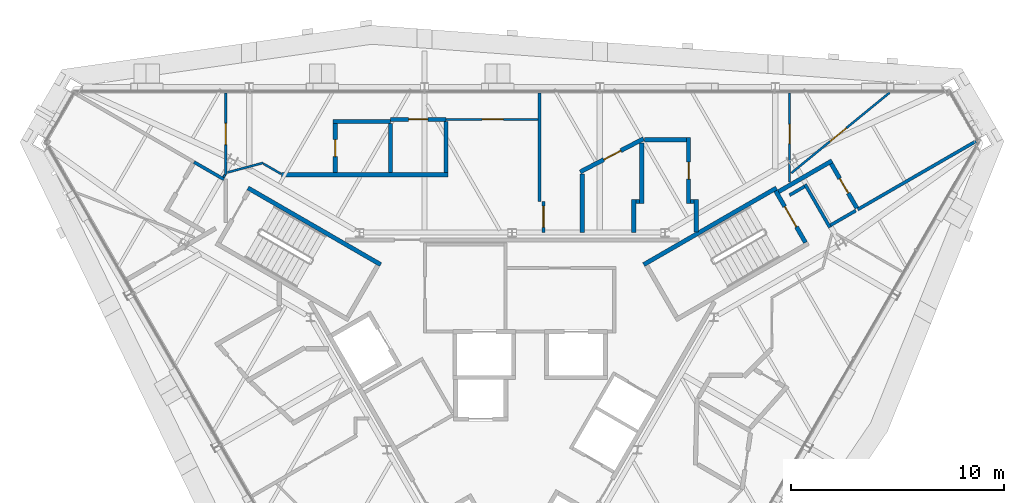
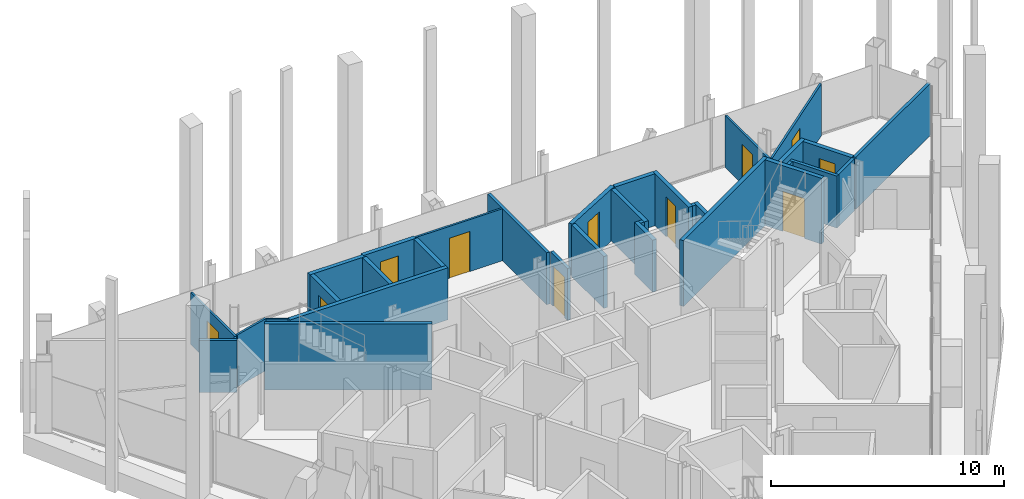
# One storey, part 12 of 15: 34 walls, 11 doors, 11 openings.
"""IFC4 building model written with IfcOpenShell, lengths in metres."""

from ifc_helpers import new_model, si_unit, direction, frame, frame_2d, origin, place, context, subcontext, project, spatial, rectangle, extrude, material, layer, layer_set, type_object, element, fill, save


model = new_model("IFC4")

# Units and contexts
model_context = context("Model", 3, precision=1e-05, world=origin(), true_north=direction((0.0, 1.0)))
body_context = subcontext(model_context, "Body", "Model", "MODEL_VIEW")
ifc_project = project(units=[si_unit("LENGTHUNIT", "METRE"), si_unit("AREAUNIT", "SQUARE_METRE"), si_unit("VOLUMEUNIT", "CUBIC_METRE"), si_unit("PLANEANGLEUNIT", "RADIAN"), si_unit("MASSUNIT", "GRAM", prefix="KILO")], contexts=[model_context])

# Site, building, storey
site_placement = place(None, origin())
site = spatial("IfcSite", under=ifc_project, at=site_placement, CompositionType="ELEMENT")
building_placement = place(site_placement, origin())
building = spatial("IfcBuilding", under=site, at=building_placement, Name="Verrane Prism Tower", CompositionType="ELEMENT")
storey_placement = place(building_placement, frame((0.0, 0.0, 297.300048828125)))
storey = spatial("IfcBuildingStorey", under=building, at=storey_placement, Name="L75", CompositionType="ELEMENT", Elevation=297.300048828125)

# Wall, opening, door
ifc_material_1 = material(Name="Concrete C40/50", Category="concrete")
ifc_layer_1 = layer(ifc_material_1, 0.199951171875)
ifc_layer_set_1 = layer_set([ifc_layer_1], Name="CW-200 stair core wall concrete C40/50 3 h")
wall_type_1 = type_object("IfcWallType", Name="CW-200 stair core wall concrete C40/50 3 h", PredefinedType="PARTITIONING", material=ifc_layer_set_1)
wall_1_placement = place(storey_placement, frame((13.777099609375, 6.337646484375, 0.0), z_axis=(0.0, 0.0, 1.0), x_axis=(-0.500049511043, 0.865996816683, 0.0)))
wall_1 = element("IfcWall", 1, at=wall_1_placement, inside=storey, type_object=wall_type_1, Name="Stair 1 enclosure wall", PredefinedType="PARTITIONING", context=body_context, shape_type="SweptSolid", body=[
    extrude(rectangle(XDim=2.800048828125, YDim=0.199951171875, at=frame_2d((1.39990234375, 0.0))), origin(), (0.0, 0.0, 1.0), 3.449951171875),
])
opening_1_placement = place(wall_1_placement, frame((0.849853515625, 0.0, 0.0)))
opening_1 = element("IfcOpeningElement", 2, at=opening_1_placement, cuts=wall_1, Name="Opening D75500", PredefinedType="OPENING", context=body_context, shape_type="SweptSolid", body=[
    extrude(rectangle(XDim=1.10009765625, YDim=2.10009765625, at=frame_2d((0.550048828125, 1.050048828125))), frame((0.0, 0.10986328125, 0.0), z_axis=(0.0, -1.0, 0.0), x_axis=(1.0, 0.0, 0.0)), (0.0, 0.0, 1.0), 0.219970703125),
])
ifc_material_2 = material(Name="Timber veneered door leaf", Category="wood")
door_type_1 = type_object("IfcDoorType", Name="DR-1100x2100 FD90 single leaf stair", OperationType="NOTDEFINED", PredefinedType="DOOR", material=ifc_material_2)
door_1_placement = place(opening_1_placement, origin())
door_1 = element("IfcDoor", 3, at=door_1_placement, inside=storey, type_object=door_type_1, Name="Stair 1 door", OperationType="SINGLE_SWING_LEFT", OverallHeight=2.10009765625, OverallWidth=1.10009765625, PredefinedType="DOOR", context=body_context, shape_type="SweptSolid", body=[
    extrude(rectangle(XDim=1.10009765625, YDim=2.10009765625, at=frame_2d((0.550048828125, 1.050048828125))), frame((0.0, 0.02490234375, 0.0), z_axis=(0.0, -1.0, 0.0), x_axis=(1.0, 0.0, 0.0)), (0.0, 0.0, 1.0), 0.050048828125),
])
fill(opening_1, door_1)

# Walls
for number, where, z_axis, x_axis, name in (
    (4, (6.17822265625, 5.299072265625, 0.0), (0.0, 0.0, 1.0), (0.866033125095, 0.499986626058, 0.0), "Stair 1 enclosure wall"),
    (5, (-6.17822265625, 5.299072265625, 0.0), (0.0, 0.0, 1.0), (-0.866033125095, 0.499986626058, 0.0), "Stair 2 enclosure wall"),
):
    element("IfcWall", number, at=place(storey_placement, frame(where, z_axis=z_axis, x_axis=x_axis)), inside=storey, type_object=wall_type_1, Name=name, PredefinedType="PARTITIONING", context=body_context, shape_type="SweptSolid", body=[
        extrude(rectangle(XDim=7.199951171875, YDim=0.199951171875, at=frame_2d((3.60009765625, 0.0))), origin(), (0.0, 0.0, 1.0), 3.449951171875),
    ])
ifc_material_3 = material(Name="Gypsum board partition", Category="other")
ifc_layer_2 = layer(ifc_material_3, 0.10009765625)
ifc_layer_set_2 = layer_set([ifc_layer_2], Name="PW-100 room partition")
wall_type_2 = type_object("IfcWallType", Name="PW-100 room partition", PredefinedType="PARTITIONING", material=ifc_layer_set_2)
wall_2_placement = place(storey_placement, frame((-13.5654296875, 9.404052734375, 0.0), z_axis=(0.0, 0.0, 1.0), x_axis=(0.500563174455, 0.865700010615, 0.0)))
element("IfcWall", 6, at=wall_2_placement, inside=storey, type_object=wall_type_2, Name="Room partition 009", PredefinedType="PARTITIONING", context=body_context, shape_type="SweptSolid", body=[
    extrude(rectangle(XDim=0.142333984375, YDim=0.10009765625, at=frame_2d((0.0712890625, 0.0))), origin(), (0.0, 0.0, 1.0), 2.722900390625),
])

# Wall, opening, door
wall_3_placement = place(storey_placement, frame((-13.458984375, 9.5380859375, 0.0), z_axis=(0.0, 0.0, 1.0), x_axis=(0.0, 1.0, 0.0)))
wall_3 = element("IfcWall", 7, at=wall_3_placement, inside=storey, type_object=wall_type_2, Name="Room partition 011", PredefinedType="PARTITIONING", context=body_context, shape_type="SweptSolid", body=[
    extrude(rectangle(XDim=3.81298828125, YDim=0.10009765625, at=frame_2d((1.906494140625, 0.0))), origin(), (0.0, 0.0, 1.0), 2.722900390625),
])
opening_2_placement = place(wall_3_placement, frame((1.39990234375, 0.0, 0.0)))
opening_2 = element("IfcOpeningElement", 8, at=opening_2_placement, cuts=wall_3, Name="Opening D75019", PredefinedType="OPENING", context=body_context, shape_type="SweptSolid", body=[
    extrude(rectangle(XDim=1.0, YDim=2.10009765625, at=frame_2d((0.5, 1.050048828125))), frame((0.0, 0.06005859375, 0.0), z_axis=(0.0, -1.0, 0.0), x_axis=(1.0, 0.0, 0.0)), (0.0, 0.0, 1.0), 0.1201171875),
])
ifc_material_4 = material(Name="Timber veneered door leaf", Category="wood")
door_type_2 = type_object("IfcDoorType", Name="DR-1000x2100 single leaf inner", OperationType="NOTDEFINED", PredefinedType="DOOR", material=ifc_material_4)
door_2_placement = place(opening_2_placement, origin())
door_2 = element("IfcDoor", 9, at=door_2_placement, inside=storey, type_object=door_type_2, Name="Living And Dining Room door", OperationType="SINGLE_SWING_LEFT", OverallHeight=2.10009765625, OverallWidth=1.0, PredefinedType="DOOR", context=body_context, shape_type="SweptSolid", body=[
    extrude(rectangle(XDim=1.0, YDim=2.10009765625, at=frame_2d((0.5, 1.050048828125))), frame((0.0, 0.02490234375, 0.0), z_axis=(0.0, -1.0, 0.0), x_axis=(1.0, 0.0, 0.0)), (0.0, 0.0, 1.0), 0.050048828125),
])
fill(opening_2, door_2)

# Walls
wall_4_placement = place(storey_placement, frame((-13.383056640625, 9.6279296875, 0.0), z_axis=(0.0, 0.0, 1.0), x_axis=(0.966010217228, 0.258503888194, 0.0)))
element("IfcWall", 10, at=wall_4_placement, inside=storey, type_object=wall_type_2, Name="Room partition 012", PredefinedType="PARTITIONING", context=body_context, shape_type="SweptSolid", body=[
    extrude(rectangle(XDim=1.751953125, YDim=0.10009765625, at=frame_2d((0.8759765625, 0.0))), origin(), (0.0, 0.0, 1.0), 2.722900390625),
])
wall_5_placement = place(storey_placement, frame((-11.678466796875, 10.032958984375, 0.0), z_axis=(0.0, 0.0, 1.0), x_axis=(0.866116627388, -0.499841962787, 0.0)))
element("IfcWall", 11, at=wall_5_placement, inside=storey, type_object=wall_type_2, Name="Room partition 016", PredefinedType="PARTITIONING", context=body_context, shape_type="SweptSolid", body=[
    extrude(rectangle(XDim=0.943115234375, YDim=0.10009765625, at=frame_2d((0.4716796875, 0.0))), origin(), (0.0, 0.0, 1.0), 2.722900390625),
])

# Wall, opening, door
wall_6_placement = place(storey_placement, frame((-3.10888671875, 12.118896484375, 0.0), z_axis=(0.0, 0.0, 1.0), x_axis=(1.0, 0.0, 0.0)))
wall_6 = element("IfcWall", 12, at=wall_6_placement, inside=storey, type_object=wall_type_2, Name="Room partition 039", PredefinedType="PARTITIONING", context=body_context, shape_type="SweptSolid", body=[
    extrude(rectangle(XDim=4.31982421875, YDim=0.10009765625, at=frame_2d((2.159912109375, 0.0))), origin(), (0.0, 0.0, 1.0), 2.722900390625),
])
opening_3_placement = place(wall_6_placement, frame((1.699951171875, 0.0, 0.0)))
opening_3 = element("IfcOpeningElement", 13, at=opening_3_placement, cuts=wall_6, Name="Opening D75017", PredefinedType="OPENING", context=body_context, shape_type="SweptSolid", body=[
    extrude(rectangle(XDim=1.0, YDim=2.10009765625, at=frame_2d((0.5, 1.050048828125))), frame((0.0, 0.06005859375, 0.0), z_axis=(0.0, -1.0, 0.0), x_axis=(1.0, 0.0, 0.0)), (0.0, 0.0, 1.0), 0.1201171875),
])
door_3_placement = place(opening_3_placement, origin())
door_3 = element("IfcDoor", 14, at=door_3_placement, inside=storey, type_object=door_type_2, Name="Entrance Foyer door", OperationType="SINGLE_SWING_LEFT", OverallHeight=2.10009765625, OverallWidth=1.0, PredefinedType="DOOR", context=body_context, shape_type="SweptSolid", body=[
    extrude(rectangle(XDim=1.0, YDim=2.10009765625, at=frame_2d((0.5, 1.050048828125))), frame((0.0, 0.02490234375, 0.0), z_axis=(0.0, -1.0, 0.0), x_axis=(1.0, 0.0, 0.0)), (0.0, 0.0, 1.0), 0.050048828125),
])
fill(opening_3, door_3)

wall_7_placement = place(storey_placement, frame((13.031005859375, 13.35107421875, 0.0), z_axis=(0.0, 0.0, 1.0), x_axis=(0.0, -1.0, 0.0)))
wall_7 = element("IfcWall", 15, at=wall_7_placement, inside=storey, type_object=wall_type_2, Name="Room partition 084", PredefinedType="PARTITIONING", context=body_context, shape_type="SweptSolid", body=[
    extrude(rectangle(XDim=4.1826171875, YDim=0.10009765625, at=frame_2d((2.09130859375, 0.0))), origin(), (0.0, 0.0, 1.0), 2.722900390625),
])
opening_4_placement = place(wall_7_placement, frame((1.468994140625, 0.0, 0.0)))
opening_4 = element("IfcOpeningElement", 16, at=opening_4_placement, cuts=wall_7, Name="Opening D75011", PredefinedType="OPENING", context=body_context, shape_type="SweptSolid", body=[
    extrude(rectangle(XDim=0.89990234375, YDim=2.10009765625, at=frame_2d((0.449951171875, 1.050048828125))), frame((0.0, 0.06005859375, 0.0), z_axis=(0.0, -1.0, 0.0), x_axis=(1.0, 0.0, 0.0)), (0.0, 0.0, 1.0), 0.1201171875),
])
ifc_material_5 = material(Name="Timber veneered door leaf", Category="wood")
door_type_3 = type_object("IfcDoorType", Name="DR-900x2100 single leaf inner", OperationType="NOTDEFINED", PredefinedType="DOOR", material=ifc_material_5)
door_4_placement = place(opening_4_placement, origin())
door_4 = element("IfcDoor", 17, at=door_4_placement, inside=storey, type_object=door_type_3, Name="Living And Dining Room door", OperationType="SINGLE_SWING_RIGHT", OverallHeight=2.10009765625, OverallWidth=0.89990234375, PredefinedType="DOOR", context=body_context, shape_type="SweptSolid", body=[
    extrude(rectangle(XDim=0.89990234375, YDim=2.10009765625, at=frame_2d((0.449951171875, 1.050048828125))), frame((0.0, 0.02490234375, 0.0), z_axis=(0.0, -1.0, 0.0), x_axis=(1.0, 0.0, 0.0)), (0.0, 0.0, 1.0), 0.050048828125),
])
fill(opening_4, door_4)

wall_8_placement = place(storey_placement, frame((17.73291015625, 13.38037109375, 0.0), z_axis=(0.0, 0.0, 1.0), x_axis=(-0.773858908961, -0.633358025939, 0.0)))
wall_8 = element("IfcWall", 18, at=wall_8_placement, inside=storey, type_object=wall_type_2, Name="Room partition 085", PredefinedType="PARTITIONING", context=body_context, shape_type="SweptSolid", body=[
    extrude(rectangle(XDim=5.970458984375, YDim=0.10009765625, at=frame_2d((2.9853515625, 0.0))), origin(), (0.0, 0.0, 1.0), 2.722900390625),
])
opening_5_placement = place(wall_8_placement, frame((2.6259765625, 0.0, 0.0)))
opening_5 = element("IfcOpeningElement", 19, at=opening_5_placement, cuts=wall_8, Name="Opening D75015", PredefinedType="OPENING", context=body_context, shape_type="SweptSolid", body=[
    extrude(rectangle(XDim=1.0, YDim=2.10009765625, at=frame_2d((0.5, 1.050048828125))), frame((0.0, 0.06005859375, 0.0), z_axis=(0.0, -1.0, 0.0), x_axis=(1.0, 0.0, 0.0)), (0.0, 0.0, 1.0), 0.1201171875),
])
door_5_placement = place(opening_5_placement, origin())
door_5 = element("IfcDoor", 20, at=door_5_placement, inside=storey, type_object=door_type_2, Name="Study door", OperationType="SINGLE_SWING_RIGHT", OverallHeight=2.10009765625, OverallWidth=1.0, PredefinedType="DOOR", context=body_context, shape_type="SweptSolid", body=[
    extrude(rectangle(XDim=1.0, YDim=2.10009765625, at=frame_2d((0.5, 1.050048828125))), frame((0.0, 0.02490234375, 0.0), z_axis=(0.0, -1.0, 0.0), x_axis=(1.0, 0.0, 0.0)), (0.0, 0.0, 1.0), 0.050048828125),
])
fill(opening_5, door_5)

# Walls
ifc_material_6 = material(Name="Gypsum board partition", Category="other")
ifc_layer_3 = layer(ifc_material_6, 0.14990234375)
ifc_layer_set_3 = layer_set([ifc_layer_3], Name="PW-150 demising wall 1 h")
wall_type_3 = type_object("IfcWallType", Name="PW-150 demising wall 1 h", PredefinedType="PARTITIONING", material=ifc_layer_set_3)
wall_9_placement = place(storey_placement, frame((-14.945068359375, 10.114013671875, 0.0), z_axis=(0.0, 0.0, 1.0), x_axis=(0.865722560266, -0.500524173887, 0.0)))
element("IfcWall", 21, at=wall_9_placement, inside=storey, type_object=wall_type_3, Name="Demising wall 006", PredefinedType="PARTITIONING", context=body_context, shape_type="SweptSolid", body=[
    extrude(rectangle(XDim=1.616455078125, YDim=0.14990234375, at=frame_2d((0.80810546875, 0.0))), origin(), (0.0, 0.0, 1.0), 2.722900390625),
])
wall_10_placement = place(storey_placement, frame((1.285888671875, 8.26904296875, 0.0), z_axis=(0.0, 0.0, 1.0), x_axis=(0.0, 1.0, 0.0)))
element("IfcWall", 22, at=wall_10_placement, inside=storey, type_object=wall_type_3, Name="Demising wall 047", PredefinedType="PARTITIONING", context=body_context, shape_type="SweptSolid", body=[
    extrude(rectangle(XDim=5.08203125, YDim=0.14990234375, at=frame_2d((2.541015625, 0.0))), origin(), (0.0, 0.0, 1.0), 2.722900390625),
])

# Wall, opening, door
wall_11_placement = place(storey_placement, frame((1.468994140625, 8.26904296875, 0.0), z_axis=(0.0, 0.0, 1.0), x_axis=(0.0, -1.0, 0.0)))
wall_11 = element("IfcWall", 23, at=wall_11_placement, inside=storey, type_object=wall_type_3, Name="Demising wall 050", PredefinedType="PARTITIONING", context=body_context, shape_type="SweptSolid", body=[
    extrude(rectangle(XDim=1.468994140625, YDim=0.14990234375, at=frame_2d((0.734375, 0.0))), origin(), (0.0, 0.0, 1.0), 2.722900390625),
])
opening_6_placement = place(wall_11_placement, frame((0.218994140625, 0.0, 0.0)))
opening_6 = element("IfcOpeningElement", 24, at=opening_6_placement, cuts=wall_11, Name="Opening D75013", PredefinedType="OPENING", context=body_context, shape_type="SweptSolid", body=[
    extrude(rectangle(XDim=1.0, YDim=2.10009765625, at=frame_2d((0.5, 1.050048828125))), frame((0.0, 0.0849609375, 0.0), z_axis=(0.0, -1.0, 0.0), x_axis=(1.0, 0.0, 0.0)), (0.0, 0.0, 1.0), 0.169921875),
])
ifc_material_7 = material(Name="Timber veneered door leaf", Category="wood")
door_type_4 = type_object("IfcDoorType", Name="DR-1000x2100 FD20 single leaf inner", OperationType="NOTDEFINED", PredefinedType="DOOR", material=ifc_material_7)
door_6_placement = place(opening_6_placement, origin())
door_6 = element("IfcDoor", 25, at=door_6_placement, inside=storey, type_object=door_type_4, Name="Entrance Foyer door", OperationType="SINGLE_SWING_RIGHT", OverallHeight=2.10009765625, OverallWidth=1.0, PredefinedType="DOOR", context=body_context, shape_type="SweptSolid", body=[
    extrude(rectangle(XDim=1.0, YDim=2.10009765625, at=frame_2d((0.5, 1.050048828125))), frame((0.0, 0.02490234375, 0.0), z_axis=(0.0, -1.0, 0.0), x_axis=(1.0, 0.0, 0.0)), (0.0, 0.0, 1.0), 0.050048828125),
])
fill(opening_6, door_6)

# Walls
wall_12_placement = place(storey_placement, frame((13.031005859375, 8.56201171875, 0.0), z_axis=(0.0, 0.0, 1.0), x_axis=(0.865798205633, 0.500393312429, 0.0)))
element("IfcWall", 26, at=wall_12_placement, inside=storey, type_object=wall_type_3, Name="Demising wall 083", PredefinedType="PARTITIONING", context=body_context, shape_type="SweptSolid", body=[
    extrude(rectangle(XDim=0.808349609375, YDim=0.14990234375, at=frame_2d((0.404296875, 0.0))), origin(), (0.0, 0.0, 1.0), 2.722900390625),
])
wall_13_placement = place(storey_placement, frame((13.758544921875, 9.06884765625, 0.0), z_axis=(0.0, 0.0, 1.0), x_axis=(0.500046885369, -0.865998332812, 0.0)))
element("IfcWall", 27, at=wall_13_placement, inside=storey, type_object=wall_type_3, Name="Demising wall 086", PredefinedType="PARTITIONING", context=body_context, shape_type="SweptSolid", body=[
    extrude(rectangle(XDim=2.344970703125, YDim=0.14990234375, at=frame_2d((1.17236328125, 0.0))), origin(), (0.0, 0.0, 1.0), 2.722900390625),
])
wall_14_placement = place(storey_placement, frame((14.953857421875, 7.1494140625, 0.0), z_axis=(0.0, 0.0, 1.0), x_axis=(0.865960792519, 0.5001118933, 0.0)))
element("IfcWall", 28, at=wall_14_placement, inside=storey, type_object=wall_type_3, Name="Demising wall 088", PredefinedType="PARTITIONING", context=body_context, shape_type="SweptSolid", body=[
    extrude(rectangle(XDim=1.374755859375, YDim=0.14990234375, at=frame_2d((0.6875, 0.0))), origin(), (0.0, 0.0, 1.0), 2.722900390625),
])
wall_15_placement = place(storey_placement, frame((16.236083984375, 7.888916015625, 0.0), z_axis=(0.0, 0.0, 1.0), x_axis=(0.865995456094, 0.500051867335, 0.0)))
element("IfcWall", 29, at=wall_15_placement, inside=storey, type_object=wall_type_3, Name="Demising wall 091", PredefinedType="PARTITIONING", context=body_context, shape_type="SweptSolid", body=[
    extrude(rectangle(XDim=6.415283203125, YDim=0.14990234375, at=frame_2d((3.20751953125, 0.0))), origin(), (0.0, 0.0, 1.0), 2.722900390625),
])
ifc_material_8 = material(Name="Gypsum board partition", Category="other")
ifc_layer_4 = layer(ifc_material_8, 0.199951171875)
ifc_layer_set_4 = layer_set([ifc_layer_4], Name="PW-200 plumbing wall")
wall_type_4 = type_object("IfcWallType", Name="PW-200 plumbing wall", PredefinedType="PARTITIONING", material=ifc_layer_set_4)
wall_16_placement = place(storey_placement, frame((-10.837890625, 9.51904296875, 0.0), z_axis=(0.0, 0.0, 1.0), x_axis=(1.0, 0.0, 0.0)))
element("IfcWall", 30, at=wall_16_placement, inside=storey, type_object=wall_type_4, Name="Plumbing wall 019", PredefinedType="PARTITIONING", context=body_context, shape_type="SweptSolid", body=[
    extrude(rectangle(XDim=7.823974609375, YDim=0.199951171875, at=frame_2d((3.912109375, 0.0))), origin(), (0.0, 0.0, 1.0), 2.722900390625),
])

# Wall, opening, door
wall_17_placement = place(storey_placement, frame((-8.31396484375, 11.9189453125, 0.0), z_axis=(0.0, 0.0, 1.0), x_axis=(0.0, -1.0, 0.0)))
wall_17 = element("IfcWall", 31, at=wall_17_placement, inside=storey, type_object=wall_type_4, Name="Plumbing wall 022", PredefinedType="PARTITIONING", context=body_context, shape_type="SweptSolid", body=[
    extrude(rectangle(XDim=2.300048828125, YDim=0.199951171875, at=frame_2d((1.14990234375, 0.0))), origin(), (0.0, 0.0, 1.0), 2.722900390625),
])
opening_7_placement = place(wall_17_placement, frame((0.75, 0.0, 0.0)))
opening_7 = element("IfcOpeningElement", 32, at=opening_7_placement, cuts=wall_17, Name="Opening D75020", PredefinedType="OPENING", context=body_context, shape_type="SweptSolid", body=[
    extrude(rectangle(XDim=0.800048828125, YDim=2.10009765625, at=frame_2d((0.39990234375, 1.050048828125))), frame((0.0, 0.10986328125, 0.0), z_axis=(0.0, -1.0, 0.0), x_axis=(1.0, 0.0, 0.0)), (0.0, 0.0, 1.0), 0.219970703125),
])
ifc_material_9 = material(Name="Timber veneered door leaf", Category="wood")
door_type_5 = type_object("IfcDoorType", Name="DR-800x2100 single leaf inner", OperationType="NOTDEFINED", PredefinedType="DOOR", material=ifc_material_9)
door_7_placement = place(opening_7_placement, origin())
door_7 = element("IfcDoor", 33, at=door_7_placement, inside=storey, type_object=door_type_5, Name="Bathroom door", OperationType="SINGLE_SWING_LEFT", OverallHeight=2.10009765625, OverallWidth=0.800048828125, PredefinedType="DOOR", context=body_context, shape_type="SweptSolid", body=[
    extrude(rectangle(XDim=0.800048828125, YDim=2.10009765625, at=frame_2d((0.39990234375, 1.050048828125))), frame((0.0, 0.02490234375, 0.0), z_axis=(0.0, -1.0, 0.0), x_axis=(1.0, 0.0, 0.0)), (0.0, 0.0, 1.0), 0.050048828125),
])
fill(opening_7, door_7)

# Walls
wall_18_placement = place(storey_placement, frame((-8.4140625, 12.01904296875, 0.0), z_axis=(0.0, 0.0, 1.0), x_axis=(1.0, 0.0, 0.0)))
element("IfcWall", 34, at=wall_18_placement, inside=storey, type_object=wall_type_4, Name="Plumbing wall 023", PredefinedType="PARTITIONING", context=body_context, shape_type="SweptSolid", body=[
    extrude(rectangle(XDim=2.699951171875, YDim=0.199951171875, at=frame_2d((1.35009765625, 0.0))), origin(), (0.0, 0.0, 1.0), 2.722900390625),
])
wall_19_placement = place(storey_placement, frame((-5.714111328125, 9.618896484375, 0.0), z_axis=(0.0, 0.0, 1.0), x_axis=(0.0, 1.0, 0.0)))
element("IfcWall", 35, at=wall_19_placement, inside=storey, type_object=wall_type_4, Name="Plumbing wall 030", PredefinedType="PARTITIONING", context=body_context, shape_type="SweptSolid", body=[
    extrude(rectangle(XDim=2.300048828125, YDim=0.199951171875, at=frame_2d((1.14990234375, 0.0))), origin(), (0.0, 0.0, 1.0), 2.722900390625),
])

# Wall, opening, door
wall_20_placement = place(storey_placement, frame((-3.10888671875, 12.118896484375, 0.0), z_axis=(0.0, 0.0, 1.0), x_axis=(-1.0, 0.0, 0.0)))
wall_20 = element("IfcWall", 36, at=wall_20_placement, inside=storey, type_object=wall_type_4, Name="Plumbing wall 031", PredefinedType="PARTITIONING", context=body_context, shape_type="SweptSolid", body=[
    extrude(rectangle(XDim=2.605224609375, YDim=0.199951171875, at=frame_2d((1.302734375, 0.0))), origin(), (0.0, 0.0, 1.0), 2.722900390625),
])
opening_8_placement = place(wall_20_placement, frame((0.85498046875, 0.0, 0.0)))
opening_8 = element("IfcOpeningElement", 37, at=opening_8_placement, cuts=wall_20, Name="Opening D75018", PredefinedType="OPENING", context=body_context, shape_type="SweptSolid", body=[
    extrude(rectangle(XDim=0.89990234375, YDim=2.10009765625, at=frame_2d((0.449951171875, 1.050048828125))), frame((0.0, 0.10986328125, 0.0), z_axis=(0.0, -1.0, 0.0), x_axis=(1.0, 0.0, 0.0)), (0.0, 0.0, 1.0), 0.219970703125),
])
door_8_placement = place(opening_8_placement, origin())
door_8 = element("IfcDoor", 38, at=door_8_placement, inside=storey, type_object=door_type_3, Name="Kitchen door", OperationType="SINGLE_SWING_LEFT", OverallHeight=2.10009765625, OverallWidth=0.89990234375, PredefinedType="DOOR", context=body_context, shape_type="SweptSolid", body=[
    extrude(rectangle(XDim=0.89990234375, YDim=2.10009765625, at=frame_2d((0.449951171875, 1.050048828125))), frame((0.0, 0.02490234375, 0.0), z_axis=(0.0, -1.0, 0.0), x_axis=(1.0, 0.0, 0.0)), (0.0, 0.0, 1.0), 0.050048828125),
])
fill(opening_8, door_8)

# Walls
wall_21_placement = place(storey_placement, frame((-3.114013671875, 9.618896484375, 0.0), z_axis=(0.0, 0.0, 1.0), x_axis=(0.0, 1.0, 0.0)))
element("IfcWall", 39, at=wall_21_placement, inside=storey, type_object=wall_type_4, Name="Plumbing wall 038", PredefinedType="PARTITIONING", context=body_context, shape_type="SweptSolid", body=[
    extrude(rectangle(XDim=2.400146484375, YDim=0.199951171875, at=frame_2d((1.2001953125, 0.0))), origin(), (0.0, 0.0, 1.0), 2.722900390625),
])
wall_22_placement = place(storey_placement, frame((3.285888671875, 6.800048828125, 0.0), z_axis=(0.0, 0.0, 1.0), x_axis=(0.0, 1.0, 0.0)))
element("IfcWall", 40, at=wall_22_placement, inside=storey, type_object=wall_type_4, Name="Plumbing wall 056", PredefinedType="PARTITIONING", context=body_context, shape_type="SweptSolid", body=[
    extrude(rectangle(XDim=2.764892578125, YDim=0.199951171875, at=frame_2d((1.38232421875, 0.0))), origin(), (0.0, 0.0, 1.0), 2.722900390625),
])

# Wall, opening, door
wall_23_placement = place(storey_placement, frame((6.174560546875, 11.215576171875, 0.0), z_axis=(0.0, 0.0, 1.0), x_axis=(-0.885512941371, -0.464614712062, 0.0)))
wall_23 = element("IfcWall", 41, at=wall_23_placement, inside=storey, type_object=wall_type_4, Name="Plumbing wall 057", PredefinedType="PARTITIONING", context=body_context, shape_type="SweptSolid", body=[
    extrude(rectangle(XDim=3.362060546875, YDim=0.199951171875, at=frame_2d((1.68115234375, 0.0))), origin(), (0.0, 0.0, 1.0), 2.722900390625),
])
opening_9_placement = place(wall_23_placement, frame((1.2119140625, 0.0, 0.0)))
opening_9 = element("IfcOpeningElement", 42, at=opening_9_placement, cuts=wall_23, Name="Opening D75014", PredefinedType="OPENING", context=body_context, shape_type="SweptSolid", body=[
    extrude(rectangle(XDim=0.89990234375, YDim=2.10009765625, at=frame_2d((0.449951171875, 1.050048828125))), frame((0.0, 0.10986328125, 0.0), z_axis=(0.0, -1.0, 0.0), x_axis=(1.0, 0.0, 0.0)), (0.0, 0.0, 1.0), 0.219970703125),
])
door_9_placement = place(opening_9_placement, origin())
door_9 = element("IfcDoor", 43, at=door_9_placement, inside=storey, type_object=door_type_3, Name="Kitchen door", OperationType="SINGLE_SWING_LEFT", OverallHeight=2.10009765625, OverallWidth=0.89990234375, PredefinedType="DOOR", context=body_context, shape_type="SweptSolid", body=[
    extrude(rectangle(XDim=0.89990234375, YDim=2.10009765625, at=frame_2d((0.449951171875, 1.050048828125))), frame((0.0, 0.02490234375, 0.0), z_axis=(0.0, -1.0, 0.0), x_axis=(1.0, 0.0, 0.0)), (0.0, 0.0, 1.0), 0.050048828125),
])
fill(opening_9, door_9)

# Walls
wall_24_placement = place(storey_placement, frame((5.7109375, 6.800048828125, 0.0), z_axis=(0.0, 0.0, 1.0), x_axis=(0.0, 1.0, 0.0)))
element("IfcWall", 44, at=wall_24_placement, inside=storey, type_object=wall_type_4, Name="Plumbing wall 063", PredefinedType="PARTITIONING", context=body_context, shape_type="SweptSolid", body=[
    extrude(rectangle(XDim=1.56884765625, YDim=0.199951171875, at=frame_2d((0.784423828125, 0.0))), origin(), (0.0, 0.0, 1.0), 2.722900390625),
])
wall_25_placement = place(storey_placement, frame((5.81103515625, 8.26904296875, 0.0), z_axis=(0.0, 0.0, 1.0), x_axis=(1.0, 0.0, 0.0)))
element("IfcWall", 45, at=wall_25_placement, inside=storey, type_object=wall_type_4, Name="Plumbing wall 064", PredefinedType="PARTITIONING", context=body_context, shape_type="SweptSolid", body=[
    extrude(rectangle(XDim=0.175048828125, YDim=0.199951171875, at=frame_2d((0.08740234375, 0.0))), origin(), (0.0, 0.0, 1.0), 2.722900390625),
])
wall_26_placement = place(storey_placement, frame((6.0859375, 8.1689453125, 0.0), z_axis=(0.0, 0.0, 1.0), x_axis=(0.0, 1.0, 0.0)))
element("IfcWall", 46, at=wall_26_placement, inside=storey, type_object=wall_type_4, Name="Plumbing wall 065", PredefinedType="PARTITIONING", context=body_context, shape_type="SweptSolid", body=[
    extrude(rectangle(XDim=2.8349609375, YDim=0.199951171875, at=frame_2d((1.41748046875, 0.0))), origin(), (0.0, 0.0, 1.0), 2.722900390625),
])
wall_27_placement = place(storey_placement, frame((6.220947265625, 11.1689453125, 0.0), z_axis=(0.0, 0.0, 1.0), x_axis=(1.0, 0.0, 0.0)))
element("IfcWall", 47, at=wall_27_placement, inside=storey, type_object=wall_type_4, Name="Plumbing wall 066", PredefinedType="PARTITIONING", context=body_context, shape_type="SweptSolid", body=[
    extrude(rectangle(XDim=1.965087890625, YDim=0.199951171875, at=frame_2d((0.982421875, 0.0))), origin(), (0.0, 0.0, 1.0), 2.722900390625),
])

# Wall, opening, door
wall_28_placement = place(storey_placement, frame((8.285888671875, 8.1689453125, 0.0), z_axis=(0.0, 0.0, 1.0), x_axis=(0.0, 1.0, 0.0)))
wall_28 = element("IfcWall", 48, at=wall_28_placement, inside=storey, type_object=wall_type_4, Name="Plumbing wall 068", PredefinedType="PARTITIONING", context=body_context, shape_type="SweptSolid", body=[
    extrude(rectangle(XDim=3.10009765625, YDim=0.199951171875, at=frame_2d((1.550048828125, 0.0))), origin(), (0.0, 0.0, 1.0), 2.722900390625),
])
opening_10_placement = place(wall_28_placement, frame((1.14990234375, 0.0, 0.0)))
opening_10 = element("IfcOpeningElement", 49, at=opening_10_placement, cuts=wall_28, Name="Opening D75012", PredefinedType="OPENING", context=body_context, shape_type="SweptSolid", body=[
    extrude(rectangle(XDim=0.800048828125, YDim=2.10009765625, at=frame_2d((0.39990234375, 1.050048828125))), frame((0.0, 0.10986328125, 0.0), z_axis=(0.0, -1.0, 0.0), x_axis=(1.0, 0.0, 0.0)), (0.0, 0.0, 1.0), 0.219970703125),
])
door_10_placement = place(opening_10_placement, origin())
door_10 = element("IfcDoor", 50, at=door_10_placement, inside=storey, type_object=door_type_5, Name="Powder Room door", OperationType="SINGLE_SWING_RIGHT", OverallHeight=2.10009765625, OverallWidth=0.800048828125, PredefinedType="DOOR", context=body_context, shape_type="SweptSolid", body=[
    extrude(rectangle(XDim=0.800048828125, YDim=2.10009765625, at=frame_2d((0.39990234375, 1.050048828125))), frame((0.0, 0.02490234375, 0.0), z_axis=(0.0, -1.0, 0.0), x_axis=(1.0, 0.0, 0.0)), (0.0, 0.0, 1.0), 0.050048828125),
])
fill(opening_10, door_10)

# Walls
wall_29_placement = place(storey_placement, frame((8.385986328125, 8.26904296875, 0.0), z_axis=(0.0, 0.0, 1.0), x_axis=(1.0, 0.0, 0.0)))
element("IfcWall", 51, at=wall_29_placement, inside=storey, type_object=wall_type_4, Name="Plumbing wall 069", PredefinedType="PARTITIONING", context=body_context, shape_type="SweptSolid", body=[
    extrude(rectangle(XDim=0.1630859375, YDim=0.199951171875, at=frame_2d((0.08154296875, 0.0))), origin(), (0.0, 0.0, 1.0), 2.722900390625),
])
wall_30_placement = place(storey_placement, frame((8.64892578125, 6.841064453125, 0.0), z_axis=(0.0, 0.0, 1.0), x_axis=(0.0, 1.0, 0.0)))
element("IfcWall", 52, at=wall_30_placement, inside=storey, type_object=wall_type_4, Name="Plumbing wall 072", PredefinedType="PARTITIONING", context=body_context, shape_type="SweptSolid", body=[
    extrude(rectangle(XDim=1.52783203125, YDim=0.199951171875, at=frame_2d((0.763916015625, 0.0))), origin(), (0.0, 0.0, 1.0), 2.722900390625),
])
wall_31_placement = place(storey_placement, frame((12.513916015625, 8.72607421875, 0.0), z_axis=(0.0, 0.0, 1.0), x_axis=(0.865969617579, 0.500096612097, 0.0)))
element("IfcWall", 53, at=wall_31_placement, inside=storey, type_object=wall_type_4, Name="Plumbing wall 082", PredefinedType="PARTITIONING", context=body_context, shape_type="SweptSolid", body=[
    extrude(rectangle(XDim=2.8994140625, YDim=0.199951171875, at=frame_2d((1.44970703125, 0.0))), origin(), (0.0, 0.0, 1.0), 2.722900390625),
])

# Wall, opening, door
wall_32_placement = place(storey_placement, frame((16.193603515625, 7.951904296875, 0.0), z_axis=(0.0, 0.0, 1.0), x_axis=(-0.500125724882, 0.865952804321, 0.0)))
wall_32 = element("IfcWall", 54, at=wall_32_placement, inside=storey, type_object=wall_type_4, Name="Plumbing wall 089", PredefinedType="PARTITIONING", context=body_context, shape_type="SweptSolid", body=[
    extrude(rectangle(XDim=2.41064453125, YDim=0.199951171875, at=frame_2d((1.205322265625, 0.0))), origin(), (0.0, 0.0, 1.0), 2.722900390625),
])
opening_11_placement = place(wall_32_placement, frame((0.810546875, 0.0, 0.0)))
opening_11 = element("IfcOpeningElement", 55, at=opening_11_placement, cuts=wall_32, Name="Opening D75016", PredefinedType="OPENING", context=body_context, shape_type="SweptSolid", body=[
    extrude(rectangle(XDim=0.800048828125, YDim=2.10009765625, at=frame_2d((0.39990234375, 1.050048828125))), frame((0.0, 0.10986328125, 0.0), z_axis=(0.0, -1.0, 0.0), x_axis=(1.0, 0.0, 0.0)), (0.0, 0.0, 1.0), 0.219970703125),
])
ifc_material_10 = material(Name="Timber veneered door leaf", Category="wood")
door_type_6 = type_object("IfcDoorType", Name="DR-800x2100 single leaf bath", OperationType="NOTDEFINED", PredefinedType="DOOR", material=ifc_material_10)
door_11_placement = place(opening_11_placement, origin())
door_11 = element("IfcDoor", 56, at=door_11_placement, inside=storey, type_object=door_type_6, Name="Master Bathroom door", OperationType="SINGLE_SWING_LEFT", OverallHeight=2.10009765625, OverallWidth=0.800048828125, PredefinedType="DOOR", context=body_context, shape_type="SweptSolid", body=[
    extrude(rectangle(XDim=0.800048828125, YDim=2.10009765625, at=frame_2d((0.39990234375, 1.050048828125))), frame((0.0, 0.02490234375, 0.0), z_axis=(0.0, -1.0, 0.0), x_axis=(1.0, 0.0, 0.0)), (0.0, 0.0, 1.0), 0.050048828125),
])
fill(opening_11, door_11)

save(model, "model.ifc")
